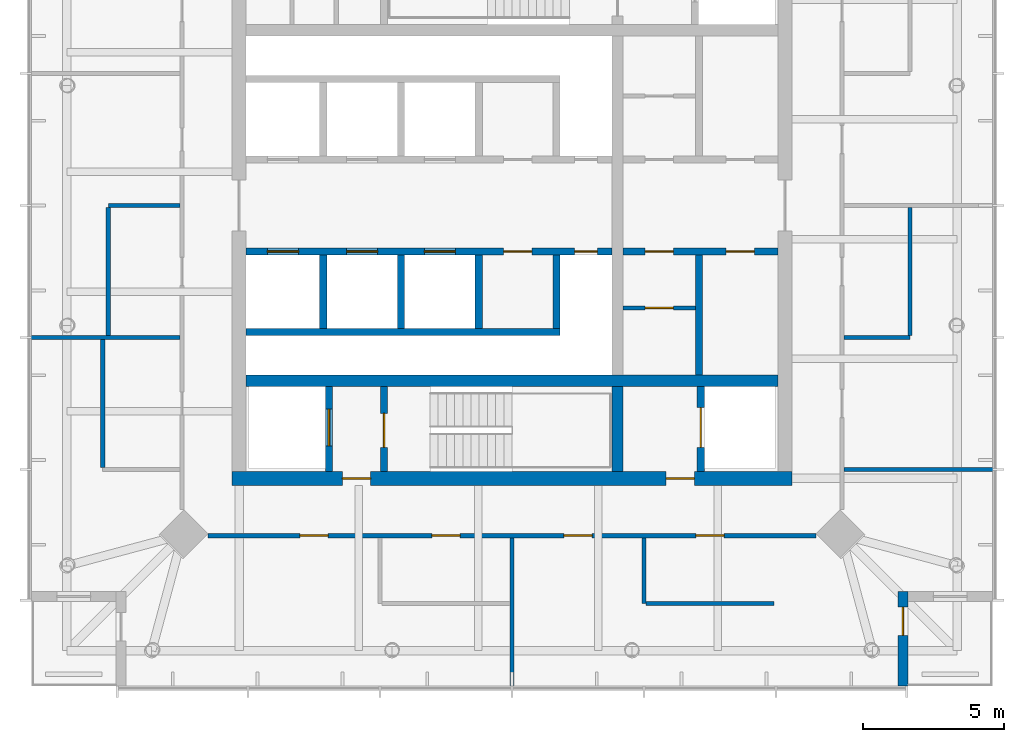
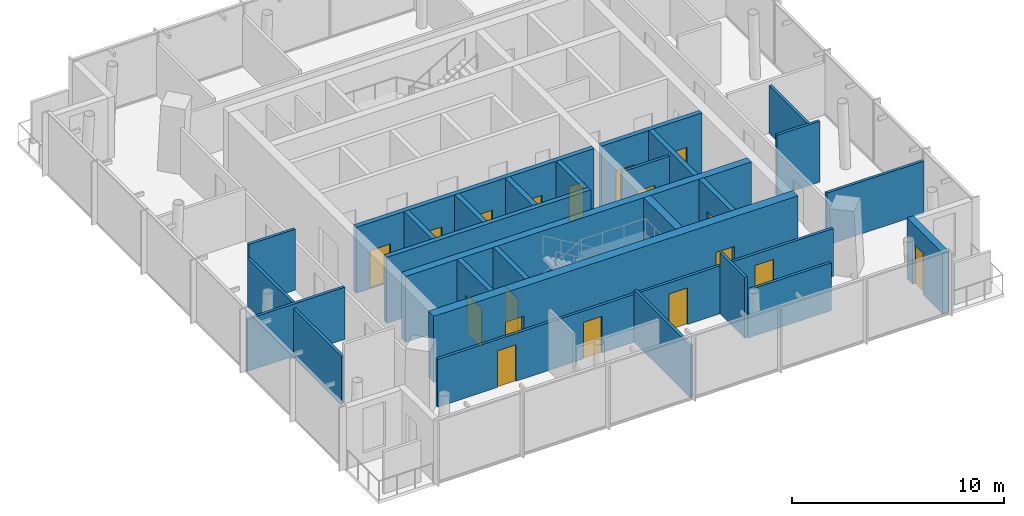
# One storey, part 4 of 7: 27 walls, 18 doors, 18 openings.
"""IFC4 building model written with IfcOpenShell, lengths in metres."""

from ifc_helpers import new_model, si_unit, direction, frame, frame_2d, origin, place, context, subcontext, project, spatial, rectangle, extrude, material, layer, layer_set, type_object, element, fill, save


model = new_model("IFC4")

# Units and contexts
model_context = context("Model", 3, precision=1e-05, world=origin(), true_north=direction((0.0, 1.0)))
body_context = subcontext(model_context, "Body", "Model", "MODEL_VIEW")
ifc_project = project(units=[si_unit("LENGTHUNIT", "METRE"), si_unit("AREAUNIT", "SQUARE_METRE"), si_unit("VOLUMEUNIT", "CUBIC_METRE"), si_unit("PLANEANGLEUNIT", "RADIAN"), si_unit("MASSUNIT", "GRAM", prefix="KILO")], contexts=[model_context])

# Site, building, storey
site_placement = place(None, origin())
site = spatial("IfcSite", under=ifc_project, at=site_placement, CompositionType="ELEMENT")
building_placement = place(site_placement, origin())
building = spatial("IfcBuilding", under=site, at=building_placement, Name="Ostroluk Exchange", CompositionType="ELEMENT")
storey_placement = place(building_placement, frame((0.0, 0.0, 279.39990234375)))
storey = spatial("IfcBuildingStorey", under=building, at=storey_placement, Name="L72", CompositionType="ELEMENT", Elevation=279.39990234375)

# Wall, opening, door
ifc_material_1 = material(Name="Concrete blockwork", Category="masonry")
ifc_layer_1 = layer(ifc_material_1, 0.14990234375)
ifc_layer_set_1 = layer_set([ifc_layer_1], Name="Blockwork plant room wall 150")
wall_type_1 = type_object("IfcWallType", Name="Blockwork plant room wall 150", PredefinedType="SOLIDWALL", material=ifc_layer_set_1)
wall_1_placement = place(storey_placement, frame((48.929931640625, 42.3798828125, 0.0), z_axis=(0.0, 0.0, 1.0), x_axis=(1.0, 0.0, 0.0)))
wall_1 = element("IfcWall", 1, at=wall_1_placement, inside=storey, type_object=wall_type_1, Name="Core room wall", PredefinedType="SOLIDWALL", context=body_context, shape_type="SweptSolid", body=[
    extrude(rectangle(XDim=2.56005859375, YDim=0.14990234375, at=frame_2d((1.280029296875, 0.0))), origin(), (0.0, 0.0, 1.0), 3.5),
])
opening_1_placement = place(wall_1_placement, frame((0.780029296875, 0.0, 0.0)))
opening_1 = element("IfcOpeningElement", 2, at=opening_1_placement, cuts=wall_1, Name="Opening FD60", PredefinedType="OPENING", context=body_context, shape_type="SweptSolid", body=[
    extrude(rectangle(XDim=1.0, YDim=2.10009765625, at=frame_2d((0.5, 1.050048828125))), frame((0.0, 0.0849609375, 0.0), z_axis=(0.0, -1.0, 0.0), x_axis=(1.0, 0.0, 0.0)), (0.0, 0.0, 1.0), 0.169921875),
])
ifc_material_2 = material(Name="Steel", Category="steel")
door_type_1 = type_object("IfcDoorType", Name="Fire door EI 60 1000 x 2100", OperationType="SINGLE_SWING_LEFT", PredefinedType="DOOR", material=ifc_material_2)
door_1_placement = place(opening_1_placement, origin())
door_1 = element("IfcDoor", 3, at=door_1_placement, inside=storey, type_object=door_type_1, Name="Archive store door", OperationType="SINGLE_SWING_LEFT", OverallHeight=2.10009765625, OverallWidth=1.0, PredefinedType="DOOR", context=body_context, shape_type="SweptSolid", body=[
    extrude(rectangle(XDim=1.0, YDim=2.10009765625, at=frame_2d((0.5, 1.050048828125))), frame((0.0, 0.02490234375, 0.0), z_axis=(0.0, -1.0, 0.0), x_axis=(1.0, 0.0, 0.0)), (0.0, 0.0, 1.0), 0.050048828125),
])
fill(opening_1, door_1)

# Walls
ifc_material_3 = material(Name="Concrete C50/60", Category="concrete")
ifc_layer_2 = layer(ifc_material_3, 0.39990234375)
ifc_layer_set_2 = layer_set([ifc_layer_2], Name="Core cross wall 400 C50/60")
wall_type_2 = type_object("IfcWallType", Name="Core cross wall 400 C50/60", PredefinedType="SHEAR", material=ifc_layer_set_2)
wall_2_placement = place(storey_placement, frame((35.60009765625, 39.800048828125, 0.0), z_axis=(0.0, 0.0, 1.0), x_axis=(1.0, 0.0, 0.0)))
element("IfcWall", 4, at=wall_2_placement, inside=storey, type_object=wall_type_2, Name="T1 core wall XS", PredefinedType="SHEAR", context=body_context, shape_type="SweptSolid", body=[
    extrude(rectangle(XDim=18.7998046875, YDim=0.39990234375, at=frame_2d((9.39990234375, 0.0))), origin(), (0.0, 0.0, 1.0), 3.800048828125),
])
wall_3_placement = place(storey_placement, frame((48.72998046875, 36.60009765625, 0.0), z_axis=(0.0, 0.0, 1.0), x_axis=(0.0, 1.0, 0.0)))
element("IfcWall", 5, at=wall_3_placement, inside=storey, type_object=wall_type_2, Name="T1 core wall YE1", PredefinedType="SHEAR", context=body_context, shape_type="SweptSolid", body=[
    extrude(rectangle(XDim=3.0, YDim=0.39990234375, at=frame_2d((1.5, 0.0))), origin(), (0.0, 0.0, 1.0), 3.800048828125),
])

# Wall, opening, door
ifc_material_4 = material(Name="Concrete C40/50", Category="concrete")
ifc_layer_3 = layer(ifc_material_4, 0.25)
ifc_layer_set_3 = layer_set([ifc_layer_3], Name="Core shaft wall 250")
wall_type_3 = type_object("IfcWallType", Name="Core shaft wall 250", PredefinedType="SHEAR", material=ifc_layer_set_3)
wall_4_placement = place(storey_placement, frame((38.52490234375, 36.60009765625, 0.0), z_axis=(0.0, 0.0, 1.0), x_axis=(0.0, 1.0, 0.0)))
wall_4 = element("IfcWall", 6, at=wall_4_placement, inside=storey, type_object=wall_type_3, Name="Firefighting lift shaft wall", PredefinedType="SHEAR", context=body_context, shape_type="SweptSolid", body=[
    extrude(rectangle(XDim=3.0, YDim=0.25, at=frame_2d((1.5, 0.0))), origin(), (0.0, 0.0, 1.0), 3.800048828125),
])
opening_2_placement = place(wall_4_placement, frame((0.89990234375, 0.0, 0.0)))
opening_2 = element("IfcOpeningElement", 7, at=opening_2_placement, cuts=wall_4, Name="Opening LD2", PredefinedType="OPENING", context=body_context, shape_type="SweptSolid", body=[
    extrude(rectangle(XDim=1.300048828125, YDim=2.199951171875, at=frame_2d((0.64990234375, 1.10009765625))), frame((0.0, 0.135009765625, 0.0), z_axis=(0.0, -1.0, 0.0), x_axis=(1.0, 0.0, 0.0)), (0.0, 0.0, 1.0), 0.27001953125),
])
ifc_material_5 = material(Name="Stainless steel", Category="steel")
door_type_2 = type_object("IfcDoorType", Name="Lift landing door E 60 1300 x 2200", OperationType="DOUBLE_DOOR_SLIDING", PredefinedType="DOOR", material=ifc_material_5)
door_2_placement = place(opening_2_placement, origin())
door_2 = element("IfcDoor", 8, at=door_2_placement, inside=storey, type_object=door_type_2, Name="Lift FL1 landing door", OperationType="DOUBLE_DOOR_SLIDING", OverallHeight=2.199951171875, OverallWidth=1.300048828125, PredefinedType="DOOR", context=body_context, shape_type="SweptSolid", body=[
    extrude(rectangle(XDim=1.300048828125, YDim=2.199951171875, at=frame_2d((0.64990234375, 1.10009765625))), frame((0.0, 0.02490234375, 0.0), z_axis=(0.0, -1.0, 0.0), x_axis=(1.0, 0.0, 0.0)), (0.0, 0.0, 1.0), 0.050048828125),
])
fill(opening_2, door_2)

wall_5_placement = place(storey_placement, frame((40.47509765625, 36.60009765625, 0.0), z_axis=(0.0, 0.0, 1.0), x_axis=(0.0, 1.0, 0.0)))
wall_5 = element("IfcWall", 9, at=wall_5_placement, inside=storey, type_object=wall_type_3, Name="Stair shaft wall", PredefinedType="SHEAR", context=body_context, shape_type="SweptSolid", body=[
    extrude(rectangle(XDim=3.0, YDim=0.25, at=frame_2d((1.5, 0.0))), origin(), (0.0, 0.0, 1.0), 3.800048828125),
])
opening_3_placement = place(wall_5_placement, frame((0.85009765625, 0.0, 0.0)))
opening_3 = element("IfcOpeningElement", 10, at=opening_3_placement, cuts=wall_5, Name="Opening FD60S", PredefinedType="OPENING", context=body_context, shape_type="SweptSolid", body=[
    extrude(rectangle(XDim=1.199951171875, YDim=2.10009765625, at=frame_2d((0.60009765625, 1.050048828125))), frame((0.0, 0.135009765625, 0.0), z_axis=(0.0, -1.0, 0.0), x_axis=(1.0, 0.0, 0.0)), (0.0, 0.0, 1.0), 0.27001953125),
])
ifc_material_6 = material(Name="Steel", Category="steel")
door_type_3 = type_object("IfcDoorType", Name="Stair door EI 60 1200 x 2100", OperationType="SINGLE_SWING_LEFT", PredefinedType="DOOR", material=ifc_material_6)
door_3_placement = place(opening_3_placement, origin())
door_3 = element("IfcDoor", 11, at=door_3_placement, inside=storey, type_object=door_type_3, Name="Stair T1-S1 door", OperationType="SINGLE_SWING_LEFT", OverallHeight=2.10009765625, OverallWidth=1.199951171875, PredefinedType="DOOR", context=body_context, shape_type="SweptSolid", body=[
    extrude(rectangle(XDim=1.199951171875, YDim=2.10009765625, at=frame_2d((0.60009765625, 1.050048828125))), frame((0.0, 0.02490234375, 0.0), z_axis=(0.0, -1.0, 0.0), x_axis=(1.0, 0.0, 0.0)), (0.0, 0.0, 1.0), 0.050048828125),
])
fill(opening_3, door_3)

wall_6_placement = place(storey_placement, frame((51.675048828125, 36.60009765625, 0.0), z_axis=(0.0, 0.0, 1.0), x_axis=(0.0, 1.0, 0.0)))
wall_6 = element("IfcWall", 12, at=wall_6_placement, inside=storey, type_object=wall_type_3, Name="Service lift shaft wall", PredefinedType="SHEAR", context=body_context, shape_type="SweptSolid", body=[
    extrude(rectangle(XDim=3.0, YDim=0.25, at=frame_2d((1.5, 0.0))), origin(), (0.0, 0.0, 1.0), 3.800048828125),
])
opening_4_placement = place(wall_6_placement, frame((0.85009765625, 0.0, 0.0)))
opening_4 = element("IfcOpeningElement", 13, at=opening_4_placement, cuts=wall_6, Name="Opening LD3", PredefinedType="OPENING", context=body_context, shape_type="SweptSolid", body=[
    extrude(rectangle(XDim=1.39990234375, YDim=2.39990234375, at=frame_2d((0.699951171875, 1.199951171875))), frame((0.0, 0.135009765625, 0.0), z_axis=(0.0, -1.0, 0.0), x_axis=(1.0, 0.0, 0.0)), (0.0, 0.0, 1.0), 0.27001953125),
])
ifc_material_7 = material(Name="Stainless steel", Category="steel")
door_type_4 = type_object("IfcDoorType", Name="Goods lift landing door E 60 1400 x 2400", OperationType="DOUBLE_DOOR_SLIDING", PredefinedType="DOOR", material=ifc_material_7)
door_4_placement = place(opening_4_placement, origin())
door_4 = element("IfcDoor", 14, at=door_4_placement, inside=storey, type_object=door_type_4, Name="Lift SL1 landing door", OperationType="DOUBLE_DOOR_SLIDING", OverallHeight=2.39990234375, OverallWidth=1.39990234375, PredefinedType="DOOR", context=body_context, shape_type="SweptSolid", body=[
    extrude(rectangle(XDim=1.39990234375, YDim=2.39990234375, at=frame_2d((0.699951171875, 1.199951171875))), frame((0.0, 0.02490234375, 0.0), z_axis=(0.0, -1.0, 0.0), x_axis=(1.0, 0.0, 0.0)), (0.0, 0.0, 1.0), 0.050048828125),
])
fill(opening_4, door_4)

# Walls
for number, where, z_axis, x_axis, name in (
    (15, (38.324951171875, 44.25, 0.0), (0.0, 0.0, 1.0), (0.0, -1.0, 0.0), "Lift shaft wall"),
    (16, (41.074951171875, 44.25, 0.0), (0.0, 0.0, 1.0), (0.0, -1.0, 0.0), "Lift shaft wall"),
    (17, (43.824951171875, 44.25, 0.0), (0.0, 0.0, 1.0), (0.0, -1.0, 0.0), "Lift shaft wall"),
    (18, (46.574951171875, 44.25, 0.0), (0.0, 0.0, 1.0), (0.0, -1.0, 0.0), "Lift shaft wall"),
):
    element("IfcWall", number, at=place(storey_placement, frame(where, z_axis=z_axis, x_axis=x_axis)), inside=storey, type_object=wall_type_3, Name=name, PredefinedType="SHEAR", context=body_context, shape_type="SweptSolid", body=[
        extrude(rectangle(XDim=2.60009765625, YDim=0.25, at=frame_2d((1.300048828125, 0.0))), origin(), (0.0, 0.0, 1.0), 3.800048828125),
    ])
wall_7_placement = place(storey_placement, frame((35.60009765625, 41.52490234375, 0.0), z_axis=(0.0, 0.0, 1.0), x_axis=(1.0, 0.0, 0.0)))
element("IfcWall", 19, at=wall_7_placement, inside=storey, type_object=wall_type_3, Name="Lift shaft wall", PredefinedType="SHEAR", context=body_context, shape_type="SweptSolid", body=[
    extrude(rectangle(XDim=11.099853515625, YDim=0.25, at=frame_2d((5.5498046875, 0.0))), origin(), (0.0, 0.0, 1.0), 3.800048828125),
])

# Wall, openings, doors
wall_8_placement = place(storey_placement, frame((35.60009765625, 44.375, 0.0), z_axis=(0.0, 0.0, 1.0), x_axis=(1.0, 0.0, 0.0)))
wall_8 = element("IfcWall", 20, at=wall_8_placement, inside=storey, type_object=wall_type_3, Name="Lift shaft front wall", PredefinedType="SHEAR", context=body_context, shape_type="SweptSolid", body=[
    extrude(rectangle(XDim=12.929931640625, YDim=0.25, at=frame_2d((6.46484375, 0.0))), origin(), (0.0, 0.0, 1.0), 3.800048828125),
])
opening_5_placement = place(wall_8_placement, frame((0.75, 0.0, 0.0)))
opening_5 = element("IfcOpeningElement", 21, at=opening_5_placement, cuts=wall_8, Name="Opening LD", PredefinedType="OPENING", context=body_context, shape_type="SweptSolid", body=[
    extrude(rectangle(XDim=1.10009765625, YDim=2.199951171875, at=frame_2d((0.550048828125, 1.10009765625))), frame((0.0, 0.135009765625, 0.0), z_axis=(0.0, -1.0, 0.0), x_axis=(1.0, 0.0, 0.0)), (0.0, 0.0, 1.0), 0.27001953125),
])
opening_6_placement = place(wall_8_placement, frame((3.550048828125, 0.0, 0.0)))
opening_6 = element("IfcOpeningElement", 22, at=opening_6_placement, cuts=wall_8, Name="Opening LD", PredefinedType="OPENING", context=body_context, shape_type="SweptSolid", body=[
    extrude(rectangle(XDim=1.10009765625, YDim=2.199951171875, at=frame_2d((0.550048828125, 1.10009765625))), frame((0.0, 0.135009765625, 0.0), z_axis=(0.0, -1.0, 0.0), x_axis=(1.0, 0.0, 0.0)), (0.0, 0.0, 1.0), 0.27001953125),
])
opening_7_placement = place(wall_8_placement, frame((6.300048828125, 0.0, 0.0)))
opening_7 = element("IfcOpeningElement", 23, at=opening_7_placement, cuts=wall_8, Name="Opening LD", PredefinedType="OPENING", context=body_context, shape_type="SweptSolid", body=[
    extrude(rectangle(XDim=1.10009765625, YDim=2.199951171875, at=frame_2d((0.550048828125, 1.10009765625))), frame((0.0, 0.135009765625, 0.0), z_axis=(0.0, -1.0, 0.0), x_axis=(1.0, 0.0, 0.0)), (0.0, 0.0, 1.0), 0.27001953125),
])
opening_8_placement = place(wall_8_placement, frame((9.10009765625, 0.0, 0.0)))
opening_8 = element("IfcOpeningElement", 24, at=opening_8_placement, cuts=wall_8, Name="Opening FD60", PredefinedType="OPENING", context=body_context, shape_type="SweptSolid", body=[
    extrude(rectangle(XDim=1.0, YDim=2.10009765625, at=frame_2d((0.5, 1.050048828125))), frame((0.0, 0.135009765625, 0.0), z_axis=(0.0, -1.0, 0.0), x_axis=(1.0, 0.0, 0.0)), (0.0, 0.0, 1.0), 0.27001953125),
])
opening_9_placement = place(wall_8_placement, frame((11.614990234375, 0.0, 0.0)))
opening_9 = element("IfcOpeningElement", 25, at=opening_9_placement, cuts=wall_8, Name="Opening RD60", PredefinedType="OPENING", context=body_context, shape_type="SweptSolid", body=[
    extrude(rectangle(XDim=0.800048828125, YDim=2.0, at=frame_2d((0.39990234375, 1.0))), frame((0.0, 0.135009765625, 0.0), z_axis=(0.0, -1.0, 0.0), x_axis=(1.0, 0.0, 0.0)), (0.0, 0.0, 1.0), 0.27001953125),
])
door_5_placement = place(opening_8_placement, origin())
door_5 = element("IfcDoor", 26, at=door_5_placement, inside=storey, type_object=door_type_1, Name="Core room door", OperationType="SINGLE_SWING_RIGHT", OverallHeight=2.10009765625, OverallWidth=1.0, PredefinedType="DOOR", context=body_context, shape_type="SweptSolid", body=[
    extrude(rectangle(XDim=1.0, YDim=2.10009765625, at=frame_2d((0.5, 1.050048828125))), frame((0.0, 0.02490234375, 0.0), z_axis=(0.0, -1.0, 0.0), x_axis=(1.0, 0.0, 0.0)), (0.0, 0.0, 1.0), 0.050048828125),
])
fill(opening_8, door_5)
ifc_material_8 = material(Name="Stainless steel", Category="steel")
door_type_5 = type_object("IfcDoorType", Name="Lift landing door E 60 1100 x 2200", OperationType="DOUBLE_DOOR_SLIDING", PredefinedType="DOOR", material=ifc_material_8)
door_6_placement = place(opening_5_placement, origin())
door_6 = element("IfcDoor", 27, at=door_6_placement, inside=storey, type_object=door_type_5, Name="Lift PL-T4 landing door", OperationType="DOUBLE_DOOR_SLIDING", OverallHeight=2.199951171875, OverallWidth=1.10009765625, PredefinedType="DOOR", context=body_context, shape_type="SweptSolid", body=[
    extrude(rectangle(XDim=1.10009765625, YDim=2.199951171875, at=frame_2d((0.550048828125, 1.10009765625))), frame((0.0, 0.02490234375, 0.0), z_axis=(0.0, -1.0, 0.0), x_axis=(1.0, 0.0, 0.0)), (0.0, 0.0, 1.0), 0.050048828125),
])
fill(opening_5, door_6)
door_7_placement = place(opening_6_placement, origin())
door_7 = element("IfcDoor", 28, at=door_7_placement, inside=storey, type_object=door_type_5, Name="Lift PL-T5 landing door", OperationType="DOUBLE_DOOR_SLIDING", OverallHeight=2.199951171875, OverallWidth=1.10009765625, PredefinedType="DOOR", context=body_context, shape_type="SweptSolid", body=[
    extrude(rectangle(XDim=1.10009765625, YDim=2.199951171875, at=frame_2d((0.550048828125, 1.10009765625))), frame((0.0, 0.02490234375, 0.0), z_axis=(0.0, -1.0, 0.0), x_axis=(1.0, 0.0, 0.0)), (0.0, 0.0, 1.0), 0.050048828125),
])
fill(opening_6, door_7)
door_8_placement = place(opening_7_placement, origin())
door_8 = element("IfcDoor", 29, at=door_8_placement, inside=storey, type_object=door_type_5, Name="Lift PL-T6 landing door", OperationType="DOUBLE_DOOR_SLIDING", OverallHeight=2.199951171875, OverallWidth=1.10009765625, PredefinedType="DOOR", context=body_context, shape_type="SweptSolid", body=[
    extrude(rectangle(XDim=1.10009765625, YDim=2.199951171875, at=frame_2d((0.550048828125, 1.10009765625))), frame((0.0, 0.02490234375, 0.0), z_axis=(0.0, -1.0, 0.0), x_axis=(1.0, 0.0, 0.0)), (0.0, 0.0, 1.0), 0.050048828125),
])
fill(opening_7, door_8)
ifc_material_9 = material(Name="Steel", Category="steel")
door_type_6 = type_object("IfcDoorType", Name="Riser access door EI 60 800 x 2000", OperationType="SINGLE_SWING_LEFT", PredefinedType="DOOR", material=ifc_material_9)
door_9_placement = place(opening_9_placement, origin())
door_9 = element("IfcDoor", 30, at=door_9_placement, inside=storey, type_object=door_type_6, Name="Riser access door", OperationType="SINGLE_SWING_RIGHT", OverallHeight=2.0, OverallWidth=0.800048828125, PredefinedType="DOOR", context=body_context, shape_type="SweptSolid", body=[
    extrude(rectangle(XDim=0.800048828125, YDim=2.0, at=frame_2d((0.39990234375, 1.0))), frame((0.0, 0.02490234375, 0.0), z_axis=(0.0, -1.0, 0.0), x_axis=(1.0, 0.0, 0.0)), (0.0, 0.0, 1.0), 0.050048828125),
])
fill(opening_9, door_9)

# Wall
wall_9_placement = place(storey_placement, frame((51.614990234375, 44.25, 0.0), z_axis=(0.0, 0.0, 1.0), x_axis=(0.0, -1.0, 0.0)))
element("IfcWall", 31, at=wall_9_placement, inside=storey, type_object=wall_type_3, Name="Lift shaft wall", PredefinedType="SHEAR", context=body_context, shape_type="SweptSolid", body=[
    extrude(rectangle(XDim=4.25, YDim=0.25, at=frame_2d((2.125, 0.0))), origin(), (0.0, 0.0, 1.0), 3.800048828125),
])

# Wall, openings, doors
wall_10_placement = place(storey_placement, frame((48.929931640625, 44.375, 0.0), z_axis=(0.0, 0.0, 1.0), x_axis=(1.0, 0.0, 0.0)))
wall_10 = element("IfcWall", 32, at=wall_10_placement, inside=storey, type_object=wall_type_3, Name="Lift shaft front wall", PredefinedType="SHEAR", context=body_context, shape_type="SweptSolid", body=[
    extrude(rectangle(XDim=5.469970703125, YDim=0.25, at=frame_2d((2.73486328125, 0.0))), origin(), (0.0, 0.0, 1.0), 3.800048828125),
])
opening_10_placement = place(wall_10_placement, frame((0.780029296875, 0.0, 0.0)))
opening_10 = element("IfcOpeningElement", 33, at=opening_10_placement, cuts=wall_10, Name="Opening FD60", PredefinedType="OPENING", context=body_context, shape_type="SweptSolid", body=[
    extrude(rectangle(XDim=1.0, YDim=2.10009765625, at=frame_2d((0.5, 1.050048828125))), frame((0.0, 0.135009765625, 0.0), z_axis=(0.0, -1.0, 0.0), x_axis=(1.0, 0.0, 0.0)), (0.0, 0.0, 1.0), 0.27001953125),
])
opening_11_placement = place(wall_10_placement, frame((3.639892578125, 0.0, 0.0)))
opening_11 = element("IfcOpeningElement", 34, at=opening_11_placement, cuts=wall_10, Name="Opening FD60", PredefinedType="OPENING", context=body_context, shape_type="SweptSolid", body=[
    extrude(rectangle(XDim=1.0, YDim=2.10009765625, at=frame_2d((0.5, 1.050048828125))), frame((0.0, 0.135009765625, 0.0), z_axis=(0.0, -1.0, 0.0), x_axis=(1.0, 0.0, 0.0)), (0.0, 0.0, 1.0), 0.27001953125),
])
door_10_placement = place(opening_10_placement, origin())
door_10 = element("IfcDoor", 35, at=door_10_placement, inside=storey, type_object=door_type_1, Name="Core room door", OperationType="SINGLE_SWING_LEFT", OverallHeight=2.10009765625, OverallWidth=1.0, PredefinedType="DOOR", context=body_context, shape_type="SweptSolid", body=[
    extrude(rectangle(XDim=1.0, YDim=2.10009765625, at=frame_2d((0.5, 1.050048828125))), frame((0.0, 0.02490234375, 0.0), z_axis=(0.0, -1.0, 0.0), x_axis=(1.0, 0.0, 0.0)), (0.0, 0.0, 1.0), 0.050048828125),
])
fill(opening_10, door_10)
door_11_placement = place(opening_11_placement, origin())
door_11 = element("IfcDoor", 36, at=door_11_placement, inside=storey, type_object=door_type_1, Name="Core room door", OperationType="SINGLE_SWING_RIGHT", OverallHeight=2.10009765625, OverallWidth=1.0, PredefinedType="DOOR", context=body_context, shape_type="SweptSolid", body=[
    extrude(rectangle(XDim=1.0, YDim=2.10009765625, at=frame_2d((0.5, 1.050048828125))), frame((0.0, 0.02490234375, 0.0), z_axis=(0.0, -1.0, 0.0), x_axis=(1.0, 0.0, 0.0)), (0.0, 0.0, 1.0), 0.050048828125),
])
fill(opening_11, door_11)

ifc_material_10 = material(Name="Concrete C50/60", Category="concrete")
ifc_layer_4 = layer(ifc_material_10, 0.5)
ifc_layer_set_4 = layer_set([ifc_layer_4], Name="Core wall 500 C50/60")
wall_type_4 = type_object("IfcWallType", Name="Core wall 500 C50/60", PredefinedType="SHEAR", material=ifc_layer_set_4)
wall_11_placement = place(storey_placement, frame((35.10009765625, 36.35009765625, 0.0), z_axis=(0.0, 0.0, 1.0), x_axis=(1.0, 0.0, 0.0)))
wall_11 = element("IfcWall", 37, at=wall_11_placement, inside=storey, type_object=wall_type_4, Name="T1 core wall S", PredefinedType="SHEAR", context=body_context, shape_type="SweptSolid", body=[
    extrude(rectangle(XDim=19.7998046875, YDim=0.5, at=frame_2d((9.89990234375, 0.0))), origin(), (0.0, 0.0, 1.0), 3.800048828125),
])
opening_12_placement = place(wall_11_placement, frame((3.89990234375, 0.0, 0.0)))
opening_12 = element("IfcOpeningElement", 38, at=opening_12_placement, cuts=wall_11, Name="Opening FD60", PredefinedType="OPENING", context=body_context, shape_type="SweptSolid", body=[
    extrude(rectangle(XDim=1.0, YDim=2.10009765625, at=frame_2d((0.5, 1.050048828125))), frame((0.0, 0.260009765625, 0.0), z_axis=(0.0, -1.0, 0.0), x_axis=(1.0, 0.0, 0.0)), (0.0, 0.0, 1.0), 0.52001953125),
])
opening_13_placement = place(wall_11_placement, frame((15.35009765625, 0.0, 0.0)))
opening_13 = element("IfcOpeningElement", 39, at=opening_13_placement, cuts=wall_11, Name="Opening FD60", PredefinedType="OPENING", context=body_context, shape_type="SweptSolid", body=[
    extrude(rectangle(XDim=1.0, YDim=2.10009765625, at=frame_2d((0.5, 1.050048828125))), frame((0.0, 0.260009765625, 0.0), z_axis=(0.0, -1.0, 0.0), x_axis=(1.0, 0.0, 0.0)), (0.0, 0.0, 1.0), 0.52001953125),
])
door_12_placement = place(opening_12_placement, origin())
door_12 = element("IfcDoor", 40, at=door_12_placement, inside=storey, type_object=door_type_1, Name="Firefighting lobby door", OperationType="SINGLE_SWING_LEFT", OverallHeight=2.10009765625, OverallWidth=1.0, PredefinedType="DOOR", context=body_context, shape_type="SweptSolid", body=[
    extrude(rectangle(XDim=1.0, YDim=2.10009765625, at=frame_2d((0.5, 1.050048828125))), frame((0.0, 0.02490234375, 0.0), z_axis=(0.0, -1.0, 0.0), x_axis=(1.0, 0.0, 0.0)), (0.0, 0.0, 1.0), 0.050048828125),
])
fill(opening_12, door_12)
door_13_placement = place(opening_13_placement, origin())
door_13 = element("IfcDoor", 41, at=door_13_placement, inside=storey, type_object=door_type_1, Name="Service lobby door", OperationType="SINGLE_SWING_RIGHT", OverallHeight=2.10009765625, OverallWidth=1.0, PredefinedType="DOOR", context=body_context, shape_type="SweptSolid", body=[
    extrude(rectangle(XDim=1.0, YDim=2.10009765625, at=frame_2d((0.5, 1.050048828125))), frame((0.0, 0.02490234375, 0.0), z_axis=(0.0, -1.0, 0.0), x_axis=(1.0, 0.0, 0.0)), (0.0, 0.0, 1.0), 0.050048828125),
])
fill(opening_13, door_13)

# Wall, opening, door
ifc_material_11 = material(Name="Limestone", Category="masonry")
ifc_layer_5 = layer(ifc_material_11, 0.35009765625)
ifc_layer_set_5 = layer_set([ifc_layer_5], Name="Limestone facade wall 350")
wall_type_5 = type_object("IfcWallType", Name="Limestone facade wall 350", PredefinedType="SOLIDWALL", material=ifc_layer_set_5)
wall_12_placement = place(storey_placement, frame((58.824951171875, 29.0, 0.0), z_axis=(0.0, 0.0, 1.0), x_axis=(0.0, 1.0, 0.0)))
wall_12 = element("IfcWall", 42, at=wall_12_placement, inside=storey, type_object=wall_type_5, Name="Office tower SE corner wall L72 a", PredefinedType="SOLIDWALL", context=body_context, shape_type="SweptSolid", body=[
    extrude(rectangle(XDim=3.35009765625, YDim=0.35009765625, at=frame_2d((1.675048828125, 0.0))), origin(), (0.0, 0.0, 1.0), 3.5),
])
opening_14_placement = place(wall_12_placement, frame((1.800048828125, 0.0, 0.0)))
opening_14 = element("IfcOpeningElement", 43, at=opening_14_placement, cuts=wall_12, Name="Opening D-B1", PredefinedType="OPENING", context=body_context, shape_type="SweptSolid", body=[
    extrude(rectangle(XDim=1.0, YDim=2.39990234375, at=frame_2d((0.5, 1.199951171875))), frame((0.0, 0.18505859375, 0.0), z_axis=(0.0, -1.0, 0.0), x_axis=(1.0, 0.0, 0.0)), (0.0, 0.0, 1.0), 0.3701171875),
])
ifc_material_12 = material(Name="Bronze framed glazed door", Category="aluminium")
door_type_7 = type_object("IfcDoorType", Name="Balcony door 1000 x 2400", OperationType="SINGLE_SWING_LEFT", PredefinedType="DOOR", material=ifc_material_12)
door_14_placement = place(opening_14_placement, origin())
door_14 = element("IfcDoor", 44, at=door_14_placement, inside=storey, type_object=door_type_7, Name="Office tower SE balcony door L72", OperationType="SINGLE_SWING_RIGHT", OverallHeight=2.39990234375, OverallWidth=1.0, PredefinedType="DOOR", context=body_context, shape_type="SweptSolid", body=[
    extrude(rectangle(XDim=1.0, YDim=2.39990234375, at=frame_2d((0.5, 1.199951171875))), frame((0.0, 0.02490234375, 0.0), z_axis=(0.0, -1.0, 0.0), x_axis=(1.0, 0.0, 0.0)), (0.0, 0.0, 1.0), 0.050048828125),
])
fill(opening_14, door_14)

# Walls
ifc_material_13 = material(Name="Gypsum plasterboard partition", Category="gypsum")
ifc_layer_6 = layer(ifc_material_13, 0.14990234375)
ifc_layer_set_6 = layer_set([ifc_layer_6], Name="Plasterboard partition 150")
wall_type_6 = type_object("IfcWallType", Name="Plasterboard partition 150", PredefinedType="PARTITIONING", material=ifc_layer_set_6)
wall_13_placement = place(storey_placement, frame((59.074951171875, 41.408447265625, 0.0), z_axis=(0.0, 0.0, 1.0), x_axis=(0.0, 1.0, 0.0)))
element("IfcWall", 45, at=wall_13_placement, inside=storey, type_object=wall_type_6, Name="Partition", PredefinedType="PARTITIONING", context=body_context, shape_type="SweptSolid", body=[
    extrude(rectangle(XDim=4.5166015625, YDim=0.14990234375, at=frame_2d((2.25830078125, 0.0))), origin(), (0.0, 0.0, 1.0), 2.7470703125),
])
wall_14_placement = place(storey_placement, frame((56.75, 36.666748046875, 0.0), z_axis=(0.0, 0.0, 1.0), x_axis=(1.0, 0.0, 0.0)))
element("IfcWall", 46, at=wall_14_placement, inside=storey, type_object=wall_type_6, Name="Partition", PredefinedType="PARTITIONING", context=body_context, shape_type="SweptSolid", body=[
    extrude(rectangle(XDim=5.2900390625, YDim=0.14990234375, at=frame_2d((2.64501953125, 0.0))), origin(), (0.0, 0.0, 1.0), 3.0),
])
wall_15_placement = place(storey_placement, frame((56.75, 41.333251953125, 0.0), z_axis=(0.0, 0.0, 1.0), x_axis=(1.0, 0.0, 0.0)))
element("IfcWall", 47, at=wall_15_placement, inside=storey, type_object=wall_type_6, Name="Partition", PredefinedType="PARTITIONING", context=body_context, shape_type="SweptSolid", body=[
    extrude(rectangle(XDim=2.324951171875, YDim=0.14990234375, at=frame_2d((1.16259765625, 0.0))), origin(), (0.0, 0.0, 1.0), 3.5),
])
wall_16_placement = place(storey_placement, frame((33.25, 46.0, 0.0), z_axis=(0.0, 0.0, 1.0), x_axis=(-1.0, 0.0, 0.0)))
element("IfcWall", 48, at=wall_16_placement, inside=storey, type_object=wall_type_6, Name="Partition", PredefinedType="PARTITIONING", context=body_context, shape_type="SweptSolid", body=[
    extrude(rectangle(XDim=2.52490234375, YDim=0.14990234375, at=frame_2d((1.262451171875, 0.0))), origin(), (0.0, 0.0, 1.0), 3.5),
])
wall_17_placement = place(storey_placement, frame((33.25, 41.333251953125, 0.0), z_axis=(0.0, 0.0, 1.0), x_axis=(-1.0, 0.0, 0.0)))
element("IfcWall", 49, at=wall_17_placement, inside=storey, type_object=wall_type_6, Name="Partition", PredefinedType="PARTITIONING", context=body_context, shape_type="SweptSolid", body=[
    extrude(rectangle(XDim=5.2900390625, YDim=0.14990234375, at=frame_2d((2.64501953125, 0.0))), origin(), (0.0, 0.0, 1.0), 3.0),
])
wall_18_placement = place(storey_placement, frame((49.74169921875, 31.925048828125, 0.0), z_axis=(0.0, 0.0, 1.0), x_axis=(1.0, 0.0, 0.0)))
element("IfcWall", 50, at=wall_18_placement, inside=storey, type_object=wall_type_6, Name="Partition", PredefinedType="PARTITIONING", context=body_context, shape_type="SweptSolid", body=[
    extrude(rectangle(XDim=4.5166015625, YDim=0.14990234375, at=frame_2d((2.25830078125, 0.0))), origin(), (0.0, 0.0, 1.0), 2.7470703125),
])

# Wall, openings, doors
wall_19_placement = place(storey_placement, frame((34.24853515625, 34.324951171875, 0.0), z_axis=(0.0, 0.0, 1.0), x_axis=(1.0, 0.0, 0.0)))
wall_19 = element("IfcWall", 51, at=wall_19_placement, inside=storey, type_object=wall_type_6, Name="Partition", PredefinedType="PARTITIONING", context=body_context, shape_type="SweptSolid", body=[
    extrude(rectangle(XDim=21.5029296875, YDim=0.14990234375, at=frame_2d((10.75146484375, 0.0))), origin(), (0.0, 0.0, 1.0), 2.7470703125),
])
opening_15_placement = place(wall_19_placement, frame((3.25146484375, 0.0, 0.0)))
opening_15 = element("IfcOpeningElement", 52, at=opening_15_placement, cuts=wall_19, Name="Opening D-03", PredefinedType="OPENING", context=body_context, shape_type="SweptSolid", body=[
    extrude(rectangle(XDim=1.0, YDim=2.10009765625, at=frame_2d((0.5, 1.050048828125))), frame((0.0, 0.0849609375, 0.0), z_axis=(0.0, -1.0, 0.0), x_axis=(1.0, 0.0, 0.0)), (0.0, 0.0, 1.0), 0.169921875),
])
opening_16_placement = place(wall_19_placement, frame((7.918212890625, 0.0, 0.0)))
opening_16 = element("IfcOpeningElement", 53, at=opening_16_placement, cuts=wall_19, Name="Opening D-03", PredefinedType="OPENING", context=body_context, shape_type="SweptSolid", body=[
    extrude(rectangle(XDim=1.0, YDim=2.10009765625, at=frame_2d((0.5, 1.050048828125))), frame((0.0, 0.0849609375, 0.0), z_axis=(0.0, -1.0, 0.0), x_axis=(1.0, 0.0, 0.0)), (0.0, 0.0, 1.0), 0.169921875),
])
opening_17_placement = place(wall_19_placement, frame((12.584716796875, 0.0, 0.0)))
opening_17 = element("IfcOpeningElement", 54, at=opening_17_placement, cuts=wall_19, Name="Opening D-03", PredefinedType="OPENING", context=body_context, shape_type="SweptSolid", body=[
    extrude(rectangle(XDim=1.0, YDim=2.10009765625, at=frame_2d((0.5, 1.050048828125))), frame((0.0, 0.0849609375, 0.0), z_axis=(0.0, -1.0, 0.0), x_axis=(1.0, 0.0, 0.0)), (0.0, 0.0, 1.0), 0.169921875),
])
opening_18_placement = place(wall_19_placement, frame((17.25146484375, 0.0, 0.0)))
opening_18 = element("IfcOpeningElement", 55, at=opening_18_placement, cuts=wall_19, Name="Opening D-03", PredefinedType="OPENING", context=body_context, shape_type="SweptSolid", body=[
    extrude(rectangle(XDim=1.0, YDim=2.10009765625, at=frame_2d((0.5, 1.050048828125))), frame((0.0, 0.0849609375, 0.0), z_axis=(0.0, -1.0, 0.0), x_axis=(1.0, 0.0, 0.0)), (0.0, 0.0, 1.0), 0.169921875),
])
ifc_material_14 = material(Name="Timber", Category="wood")
door_type_8 = type_object("IfcDoorType", Name="Internal door 1000 x 2100", OperationType="SINGLE_SWING_LEFT", PredefinedType="DOOR", material=ifc_material_14)
door_15_placement = place(opening_15_placement, origin())
door_15 = element("IfcDoor", 56, at=door_15_placement, inside=storey, type_object=door_type_8, Name="Corner office door", OperationType="SINGLE_SWING_LEFT", OverallHeight=2.10009765625, OverallWidth=1.0, PredefinedType="DOOR", context=body_context, shape_type="SweptSolid", body=[
    extrude(rectangle(XDim=1.0, YDim=2.10009765625, at=frame_2d((0.5, 1.050048828125))), frame((0.0, 0.02490234375, 0.0), z_axis=(0.0, -1.0, 0.0), x_axis=(1.0, 0.0, 0.0)), (0.0, 0.0, 1.0), 0.050048828125),
])
fill(opening_15, door_15)
door_16_placement = place(opening_16_placement, origin())
door_16 = element("IfcDoor", 57, at=door_16_placement, inside=storey, type_object=door_type_8, Name="Print and store room door", OperationType="SINGLE_SWING_LEFT", OverallHeight=2.10009765625, OverallWidth=1.0, PredefinedType="DOOR", context=body_context, shape_type="SweptSolid", body=[
    extrude(rectangle(XDim=1.0, YDim=2.10009765625, at=frame_2d((0.5, 1.050048828125))), frame((0.0, 0.02490234375, 0.0), z_axis=(0.0, -1.0, 0.0), x_axis=(1.0, 0.0, 0.0)), (0.0, 0.0, 1.0), 0.050048828125),
])
fill(opening_16, door_16)
door_17_placement = place(opening_17_placement, origin())
door_17 = element("IfcDoor", 58, at=door_17_placement, inside=storey, type_object=door_type_8, Name="Office door", OperationType="SINGLE_SWING_RIGHT", OverallHeight=2.10009765625, OverallWidth=1.0, PredefinedType="DOOR", context=body_context, shape_type="SweptSolid", body=[
    extrude(rectangle(XDim=1.0, YDim=2.10009765625, at=frame_2d((0.5, 1.050048828125))), frame((0.0, 0.02490234375, 0.0), z_axis=(0.0, -1.0, 0.0), x_axis=(1.0, 0.0, 0.0)), (0.0, 0.0, 1.0), 0.050048828125),
])
fill(opening_17, door_17)
door_18_placement = place(opening_18_placement, origin())
door_18 = element("IfcDoor", 59, at=door_18_placement, inside=storey, type_object=door_type_8, Name="Print and store room door", OperationType="SINGLE_SWING_RIGHT", OverallHeight=2.10009765625, OverallWidth=1.0, PredefinedType="DOOR", context=body_context, shape_type="SweptSolid", body=[
    extrude(rectangle(XDim=1.0, YDim=2.10009765625, at=frame_2d((0.5, 1.050048828125))), frame((0.0, 0.02490234375, 0.0), z_axis=(0.0, -1.0, 0.0), x_axis=(1.0, 0.0, 0.0)), (0.0, 0.0, 1.0), 0.050048828125),
])
fill(opening_18, door_18)

# Walls
wall_20_placement = place(storey_placement, frame((45.0, 34.25, 0.0), z_axis=(0.0, 0.0, 1.0), x_axis=(0.0, -1.0, 0.0)))
element("IfcWall", 60, at=wall_20_placement, inside=storey, type_object=wall_type_6, Name="Partition", PredefinedType="PARTITIONING", context=body_context, shape_type="SweptSolid", body=[
    extrude(rectangle(XDim=5.2900390625, YDim=0.14990234375, at=frame_2d((2.64501953125, 0.0))), origin(), (0.0, 0.0, 1.0), 3.0),
])
wall_21_placement = place(storey_placement, frame((49.666748046875, 34.25, 0.0), z_axis=(0.0, 0.0, 1.0), x_axis=(0.0, -1.0, 0.0)))
element("IfcWall", 61, at=wall_21_placement, inside=storey, type_object=wall_type_6, Name="Partition", PredefinedType="PARTITIONING", context=body_context, shape_type="SweptSolid", body=[
    extrude(rectangle(XDim=2.324951171875, YDim=0.14990234375, at=frame_2d((1.16259765625, 0.0))), origin(), (0.0, 0.0, 1.0), 3.5),
])
ifc_material_15 = material(Name="Gypsum plasterboard partition, moisture resistant", Category="gypsum")
ifc_layer_7 = layer(ifc_material_15, 0.14990234375)
ifc_layer_set_7 = layer_set([ifc_layer_7], Name="Plasterboard toilet partition 150")
wall_type_7 = type_object("IfcWallType", Name="Plasterboard toilet partition 150", PredefinedType="PARTITIONING", material=ifc_layer_set_7)
for number, where, z_axis, x_axis, name in (
    (62, (30.72509765625, 45.925048828125, 0.0), (0.0, 0.0, 1.0), (0.0, -1.0, 0.0), "Toilet partition"),
    (63, (30.52490234375, 41.25830078125, 0.0), (0.0, 0.0, 1.0), (0.0, -1.0, 0.0), "Toilet partition"),
):
    element("IfcWall", number, at=place(storey_placement, frame(where, z_axis=z_axis, x_axis=x_axis)), inside=storey, type_object=wall_type_7, Name=name, PredefinedType="PARTITIONING", context=body_context, shape_type="SweptSolid", body=[
        extrude(rectangle(XDim=4.5166015625, YDim=0.14990234375, at=frame_2d((2.25830078125, 0.0))), origin(), (0.0, 0.0, 1.0), 2.7470703125),
    ])

save(model, "model.ifc")
